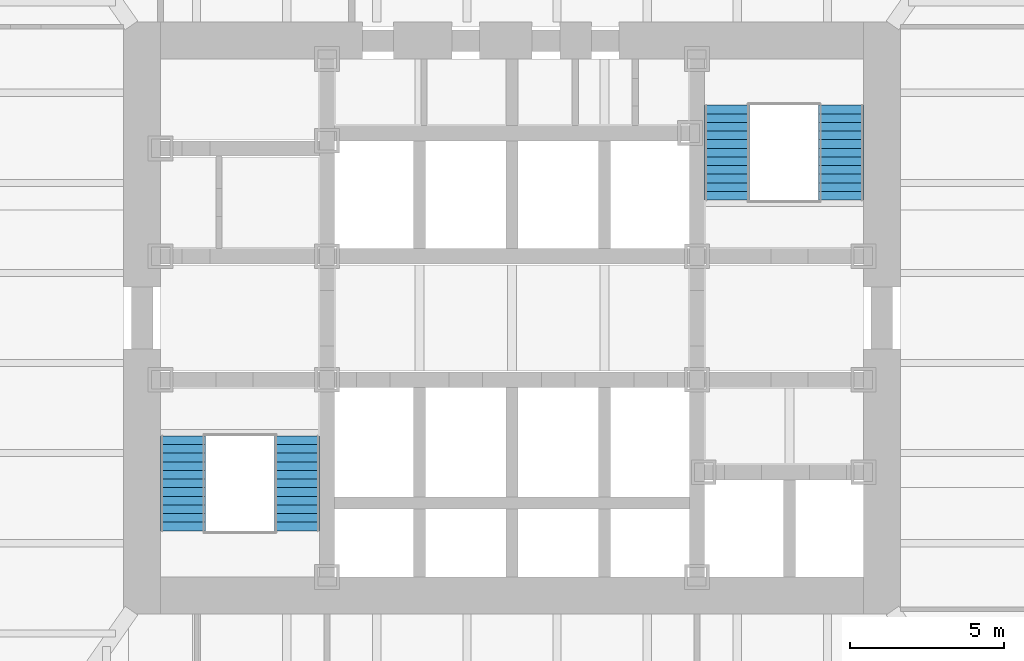
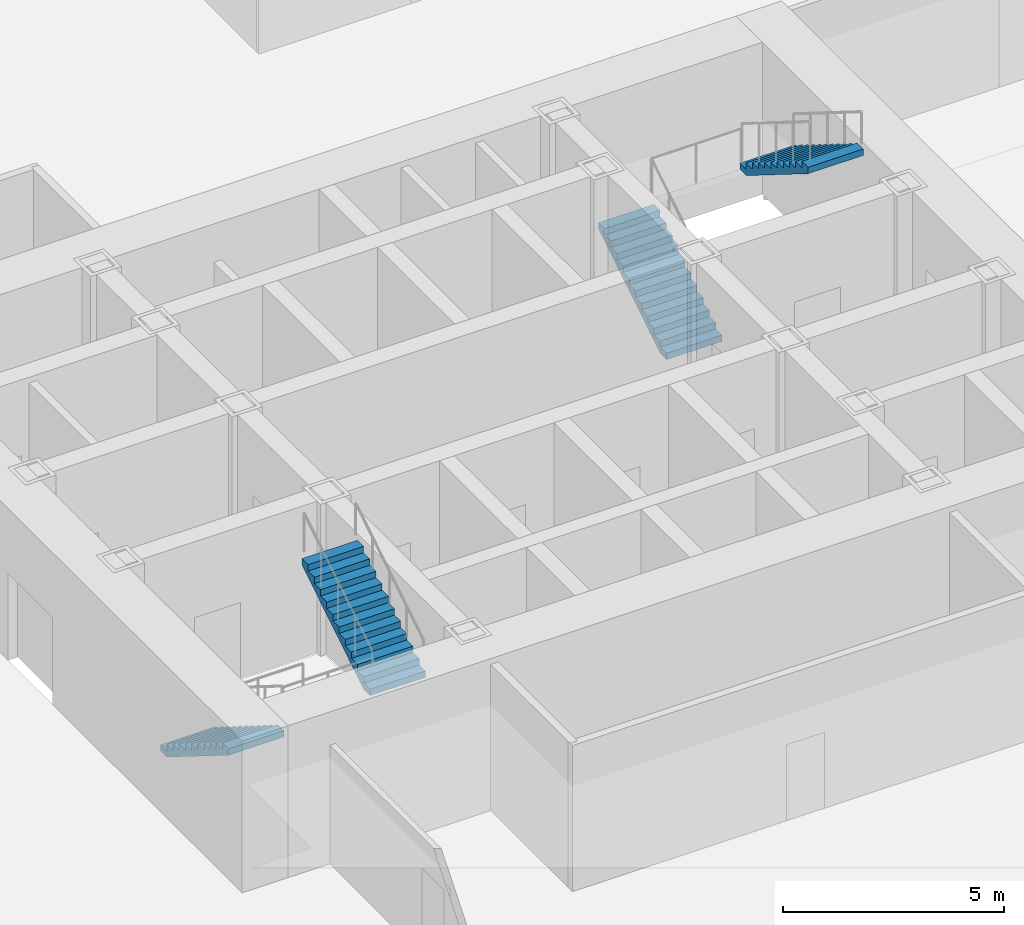
# One storey, part 11 of 17: 4 stair flights, 2 elements without a shape of their own.
"""IFC4 building model written with IfcOpenShell, lengths in metres."""

import ifcopenshell
import ifcopenshell.guid

model = None  # the IFC model being written
_history = None  # IfcOwnerHistory: only IFC2X3 demands one
_inside = {}  # id of a spatial element -> (the spatial element, [elements in it])
_under = {}  # id of a project, library or spatial element -> (it, [spatial elements below it])
_declared = {}  # id of a project -> (the project, [libraries it declares])
_typed = {}  # id of a type object -> (the type object, [elements of that type])
_made_of = {}  # id of a material, layer set ... -> (it, [elements and type objects made of it])


def new_model(schema):
    """Start an empty IFC model of exactly this schema.

    Asked for "IFC4X3", IfcOpenShell would pick the latest addendum, in which some entities
    have other attributes; the version numbers below select the first issue.
    IFC2X3 requires an IfcOwnerHistory on every rooted entity: one is made here for all.
    """
    global model, _history
    if schema == "IFC4X3":
        model = ifcopenshell.file(schema_version=(4, 3, 0, 0))
    else:
        model = ifcopenshell.file(schema=schema)
    _inside.clear()
    _under.clear()
    _declared.clear()
    _typed.clear()
    _made_of.clear()
    _history = None
    if model.schema == "IFC2X3":
        org = make("IfcOrganization", Name="unknown")
        user = make(
            "IfcPersonAndOrganization",
            ThePerson=make("IfcPerson", FamilyName="unknown"),
            TheOrganization=org,
        )
        app = make(
            "IfcApplication",
            ApplicationDeveloper=org,
            Version="unknown",
            ApplicationFullName="unknown",
            ApplicationIdentifier="unknown",
        )
        _history = make(
            "IfcOwnerHistory",
            OwningUser=user,
            OwningApplication=app,
            ChangeAction="ADDED",
            CreationDate=0,
        )
    return model


def make(cls, **values):
    """One entity of the class cls with the attributes given. An attribute that is None is left unset."""
    return model.create_entity(
        cls, **{name: value for name, value in values.items() if value is not None}
    )


def rooted(cls, **values):
    """An entity with a GlobalId (a new one), such as an element, a storey or a relation."""
    return make(cls, GlobalId=ifcopenshell.guid.new(), OwnerHistory=_history, **values)


def si_unit(unit_type, name, prefix=None):
    """IfcSIUnit, for example si_unit("LENGTHUNIT", "METRE", prefix="MILLI")."""
    return make("IfcSIUnit", UnitType=unit_type, Prefix=prefix, Name=name)


def assignment(units):
    """IfcUnitAssignment: the units of a project."""
    return None if units is None else make("IfcUnitAssignment", Units=units)


def point(xyz):
    """IfcCartesianPoint."""
    return None if xyz is None else make("IfcCartesianPoint", Coordinates=xyz)


def direction(xyz):
    """IfcDirection."""
    return None if xyz is None else make("IfcDirection", DirectionRatios=xyz)


def frame(location, z_axis=None, x_axis=None):
    """IfcAxis2Placement3D, a coordinate frame: its origin and axes. An axis left out is left unset."""
    return make(
        "IfcAxis2Placement3D",
        Location=point(location),
        Axis=direction(z_axis),
        RefDirection=direction(x_axis),
    )


def origin():
    """The frame at (0, 0, 0) with its axes left unset."""
    return frame((0.0, 0.0, 0.0))


def place(relative_to, where):
    """IfcLocalPlacement: puts the frame where relative to a parent placement (None: the world)."""
    return make(
        "IfcLocalPlacement", PlacementRelTo=relative_to, RelativePlacement=where
    )


def context(
    kind, dimensions, precision=None, world=None, true_north=None, identifier=None
):
    """IfcGeometricRepresentationContext, for example the 3D "Model" context."""
    return make(
        "IfcGeometricRepresentationContext",
        ContextIdentifier=identifier,
        ContextType=kind,
        CoordinateSpaceDimension=dimensions,
        Precision=precision,
        WorldCoordinateSystem=world,
        TrueNorth=true_north,
    )


def subcontext(parent, identifier, kind, view, scale=None):
    """IfcGeometricRepresentationSubContext, for example "Body" below "Model"."""
    return make(
        "IfcGeometricRepresentationSubContext",
        ContextIdentifier=identifier,
        ContextType=kind,
        ParentContext=parent,
        TargetScale=scale,
        TargetView=view,
    )


def project(units=None, contexts=None):
    """IfcProject with its units and contexts."""
    return rooted(
        "IfcProject",
        Name="project",
        RepresentationContexts=contexts,
        UnitsInContext=assignment(units),
    )


def spatial(cls, under=None, at=None, **own):
    """A site, building, storey or space (cls), placed at a placement, below another one or the project."""
    s = rooted(cls, ObjectPlacement=at, **own)
    if under is not None:
        _under.setdefault(under.id(), (under, []))[1].append(s)
    return s


def polyline(points):
    """IfcPolyline through the points."""
    return make("IfcPolyline", Points=[point(p) for p in points])


def outline(outer, holes=None, kind="AREA"):
    """IfcArbitraryClosedProfileDef: a profile drawn as a closed curve; with holes, ...WithVoids."""
    if holes is None:
        return make("IfcArbitraryClosedProfileDef", ProfileType=kind, OuterCurve=outer)
    return make(
        "IfcArbitraryProfileDefWithVoids",
        ProfileType=kind,
        OuterCurve=outer,
        InnerCurves=holes,
    )


def extrude(swept, where, along, depth):
    """IfcExtrudedAreaSolid: the profile swept, set in the frame where, extruded along a direction by depth."""
    return make(
        "IfcExtrudedAreaSolid",
        SweptArea=swept,
        Position=where,
        ExtrudedDirection=direction(along),
        Depth=depth,
    )


def shape(context_of_items, identifier, shape_type, items):
    """IfcShapeRepresentation: the items that make up one representation, for example the "Body"."""
    return make(
        "IfcShapeRepresentation",
        ContextOfItems=context_of_items,
        RepresentationIdentifier=identifier,
        RepresentationType=shape_type,
        Items=items,
    )


def material(Name=None, Category=None):
    """IfcMaterial."""
    return make("IfcMaterial", Name=Name, Category=Category)


def made_of(thing, what):
    """Note that an element or type object is made of a material, layer set ...; save() writes the relation."""
    if what is not None:
        _made_of.setdefault(what.id(), (what, []))[1].append(thing)
    return thing


def type_object(cls, material=None, **own):
    """A type object (cls), such as IfcWallType, which elements share."""
    return made_of(rooted(cls, **own), material)


def element(
    cls,
    number,
    at=None,
    inside=None,
    cuts=None,
    type_object=None,
    material=None,
    context=None,
    identifier="Body",
    shape_type=None,
    held_by="IfcProductDefinitionShape",
    body=None,
    shapes=None,
    **own,
):
    """One element of the class cls, such as IfcWall. Its Tag is "e" and its number.

    at: its placement. inside: the storey or other place that contains it. cuts: it is an
    opening in that element (IfcRelVoidsElement). A single representation is given by context,
    identifier, shape_type and body (its items); several are given by shapes. held_by: the class
    of the entity that holds the representations. save() writes the other relations.
    """
    e = rooted(cls, Tag="e%d" % number, ObjectPlacement=at, **own)
    if body is not None:
        shapes = [shape(context, identifier, shape_type, body)]
    if shapes is not None:
        e.Representation = make(held_by, Representations=shapes)
    if inside is not None:
        _inside.setdefault(inside.id(), (inside, []))[1].append(e)
    if cuts is not None:
        rooted(
            "IfcRelVoidsElement", RelatingBuildingElement=cuts, RelatedOpeningElement=e
        )
    if type_object is not None:
        _typed.setdefault(type_object.id(), (type_object, []))[1].append(e)
    return made_of(e, material)


def aggregate(whole, parts):
    """IfcRelAggregates: a whole, such as a stair, and the parts it consists of."""
    return rooted("IfcRelAggregates", RelatingObject=whole, RelatedObjects=parts)


def save(model, path):
    """Write the relations noted so far, then the file.

    IfcRelAggregates (storeys below a building ...), IfcRelContainedInSpatialStructure (elements
    in a storey), IfcRelDefinesByType, IfcRelAssociatesMaterial and IfcRelDeclares: one each for
    every whole, place, type object, material and project.
    """
    for whole, parts in _under.values():
        aggregate(whole, parts)
    for where, things in _inside.values():
        rooted(
            "IfcRelContainedInSpatialStructure",
            RelatedElements=things,
            RelatingStructure=where,
        )
    for kind, things in _typed.values():
        rooted("IfcRelDefinesByType", RelatedObjects=things, RelatingType=kind)
    for what, things in _made_of.values():
        rooted("IfcRelAssociatesMaterial", RelatedObjects=things, RelatingMaterial=what)
    for by, libraries in _declared.values():
        rooted("IfcRelDeclares", RelatingContext=by, RelatedDefinitions=libraries)
    model.write(path)


model = new_model("IFC4")

# Units and contexts
model_context = context("Model", 3, precision=1e-05, world=origin(), true_north=direction((0.0, 1.0)))
body_context = subcontext(model_context, "Body", "Model", "MODEL_VIEW")
ifc_project = project(units=[si_unit("LENGTHUNIT", "METRE"), si_unit("AREAUNIT", "SQUARE_METRE"), si_unit("VOLUMEUNIT", "CUBIC_METRE"), si_unit("PLANEANGLEUNIT", "RADIAN"), si_unit("MASSUNIT", "GRAM", prefix="KILO")], contexts=[model_context])

# Site, building, storey
site_placement = place(None, origin())
site = spatial("IfcSite", under=ifc_project, at=site_placement, CompositionType="ELEMENT")
building_placement = place(site_placement, origin())
building = spatial("IfcBuilding", under=site, at=building_placement, Name="Daluyong Arena Tower", CompositionType="ELEMENT")
storey_placement = place(building_placement, frame((0.0, 0.0, 81.10009765625)))
storey = spatial("IfcBuildingStorey", under=building, at=storey_placement, Name="L17", CompositionType="ELEMENT", Elevation=81.10009765625)

# Stair, stair flights
ifc_material_1 = material(Name="Concrete fc' 35 MPa", Category="concrete")
stair_type = type_object("IfcStairType", Name="Core exit stair", PredefinedType="HALF_TURN_STAIR", material=ifc_material_1)
stair_1_placement = place(storey_placement, origin())
stair_1 = element("IfcStair", 1, at=stair_1_placement, inside=storey, type_object=stair_type, Name="exit stair A L17", PredefinedType="HALF_TURN_STAIR")
ifc_material_2 = material(Name="Concrete fc' 35 MPa", Category="concrete")
stair_flight_type = type_object("IfcStairFlightType", Name="Core stair flight", PredefinedType="STRAIGHT", material=ifc_material_2)
stair_flight_1_placement = place(storey_placement, frame((45.324951171875, 76.175048828125, 0.0), z_axis=(0.0, 0.0, 1.0), x_axis=(0.0, -1.0, 0.0)))
stair_flight_1 = element("IfcStairFlight", 2, at=stair_flight_1_placement, type_object=stair_flight_type, Name="STA flight 1", NumberOfRisers=12, NumberOfTreads=11, PredefinedType="STRAIGHT", RiserHeight=0.175, TreadLength=0.28, context=body_context, shape_type="SweptSolid", body=[
    extrude(outline(polyline([(0.0, 0.0), (0.0, 0.175048828125), (0.280029296875, 0.175048828125), (0.280029296875, 0.35009765625), (0.56005859375, 0.35009765625), (0.56005859375, 0.52490234375), (0.840087890625, 0.52490234375), (0.840087890625, 0.699951171875), (1.1201171875, 0.699951171875), (1.1201171875, 0.875), (1.39990234375, 0.875), (1.39990234375, 1.050048828125), (1.679931640625, 1.050048828125), (1.679931640625, 1.22509765625), (1.9599609375, 1.22509765625), (1.9599609375, 1.39990234375), (2.239990234375, 1.39990234375), (2.239990234375, 1.574951171875), (2.52001953125, 1.574951171875), (2.52001953125, 1.75), (2.800048828125, 1.75), (2.800048828125, 1.925048828125), (3.080078125, 1.925048828125), (3.080078125, 2.10009765625), (3.080078125, 1.748291015625), (0.28271484375, 0.0), (0.0, 0.0)])), frame((0.0, 0.72509765625, 0.0), z_axis=(0.0, -1.0, 0.0), x_axis=(1.0, 0.0, 0.0)), (0.0, 0.0, 1.0), 1.449951171875),
])
stair_flight_2_placement = place(storey_placement, frame((49.02490234375, 73.094970703125, 2.099853515625), z_axis=(0.0, 0.0, 1.0), x_axis=(0.0, 1.0, 0.0)))
stair_flight_2 = element("IfcStairFlight", 3, at=stair_flight_2_placement, type_object=stair_flight_type, Name="STA flight 2", NumberOfRisers=12, NumberOfTreads=11, PredefinedType="STRAIGHT", RiserHeight=0.175, TreadLength=0.28, context=body_context, shape_type="SweptSolid", body=[
    extrude(outline(polyline([(0.0, 0.0), (0.0, 0.175048828125), (0.280029296875, 0.175048828125), (0.280029296875, 0.35009765625), (0.56005859375, 0.35009765625), (0.56005859375, 0.52490234375), (0.840087890625, 0.52490234375), (0.840087890625, 0.699951171875), (1.1201171875, 0.699951171875), (1.1201171875, 0.875), (1.39990234375, 0.875), (1.39990234375, 1.050048828125), (1.679931640625, 1.050048828125), (1.679931640625, 1.22509765625), (1.9599609375, 1.22509765625), (1.9599609375, 1.39990234375), (2.239990234375, 1.39990234375), (2.239990234375, 1.574951171875), (2.52001953125, 1.574951171875), (2.52001953125, 1.75), (2.800048828125, 1.75), (2.800048828125, 1.925048828125), (3.080078125, 1.925048828125), (3.080078125, 2.10009765625), (3.080078125, 1.748291015625), (0.28271484375, 0.0), (0.0, 0.0)])), frame((0.0, 0.72509765625, 0.0), z_axis=(0.0, -1.0, 0.0), x_axis=(1.0, 0.0, 0.0)), (0.0, 0.0, 1.0), 1.449951171875),
])
aggregate(stair_1, [stair_flight_1, stair_flight_2])

stair_2_placement = place(storey_placement, origin())
stair_2 = element("IfcStair", 4, at=stair_2_placement, inside=storey, type_object=stair_type, Name="exit stair B L17", PredefinedType="HALF_TURN_STAIR")
stair_flight_3_placement = place(storey_placement, frame((62.97509765625, 83.824951171875, 0.0), z_axis=(0.0, 0.0, 1.0), x_axis=(0.0, 1.0, 0.0)))
stair_flight_3 = element("IfcStairFlight", 5, at=stair_flight_3_placement, type_object=stair_flight_type, Name="STB flight 1", NumberOfRisers=12, NumberOfTreads=11, PredefinedType="STRAIGHT", RiserHeight=0.175, TreadLength=0.28, context=body_context, shape_type="SweptSolid", body=[
    extrude(outline(polyline([(0.0, 0.0), (0.0, 0.175048828125), (0.280029296875, 0.175048828125), (0.280029296875, 0.35009765625), (0.56005859375, 0.35009765625), (0.56005859375, 0.52490234375), (0.840087890625, 0.52490234375), (0.840087890625, 0.699951171875), (1.1201171875, 0.699951171875), (1.1201171875, 0.875), (1.39990234375, 0.875), (1.39990234375, 1.050048828125), (1.679931640625, 1.050048828125), (1.679931640625, 1.22509765625), (1.9599609375, 1.22509765625), (1.9599609375, 1.39990234375), (2.239990234375, 1.39990234375), (2.239990234375, 1.574951171875), (2.52001953125, 1.574951171875), (2.52001953125, 1.75), (2.800048828125, 1.75), (2.800048828125, 1.925048828125), (3.080078125, 1.925048828125), (3.080078125, 2.10009765625), (3.080078125, 1.748291015625), (0.28271484375, 0.0), (0.0, 0.0)])), frame((0.0, 0.72509765625, 0.0), z_axis=(0.0, -1.0, 0.0), x_axis=(1.0, 0.0, 0.0)), (0.0, 0.0, 1.0), 1.449951171875),
])
stair_flight_4_placement = place(storey_placement, frame((66.675048828125, 86.905029296875, 2.099853515625), z_axis=(0.0, 0.0, 1.0), x_axis=(0.0, -1.0, 0.0)))
stair_flight_4 = element("IfcStairFlight", 6, at=stair_flight_4_placement, type_object=stair_flight_type, Name="STB flight 2", NumberOfRisers=12, NumberOfTreads=11, PredefinedType="STRAIGHT", RiserHeight=0.175, TreadLength=0.28, context=body_context, shape_type="SweptSolid", body=[
    extrude(outline(polyline([(0.0, 0.0), (0.0, 0.175048828125), (0.280029296875, 0.175048828125), (0.280029296875, 0.35009765625), (0.56005859375, 0.35009765625), (0.56005859375, 0.52490234375), (0.840087890625, 0.52490234375), (0.840087890625, 0.699951171875), (1.1201171875, 0.699951171875), (1.1201171875, 0.875), (1.39990234375, 0.875), (1.39990234375, 1.050048828125), (1.679931640625, 1.050048828125), (1.679931640625, 1.22509765625), (1.9599609375, 1.22509765625), (1.9599609375, 1.39990234375), (2.239990234375, 1.39990234375), (2.239990234375, 1.574951171875), (2.52001953125, 1.574951171875), (2.52001953125, 1.75), (2.800048828125, 1.75), (2.800048828125, 1.925048828125), (3.080078125, 1.925048828125), (3.080078125, 2.10009765625), (3.080078125, 1.748291015625), (0.28271484375, 0.0), (0.0, 0.0)])), frame((0.0, 0.72509765625, 0.0), z_axis=(0.0, -1.0, 0.0), x_axis=(1.0, 0.0, 0.0)), (0.0, 0.0, 1.0), 1.449951171875),
])
aggregate(stair_2, [stair_flight_3, stair_flight_4])

save(model, "model.ifc")
